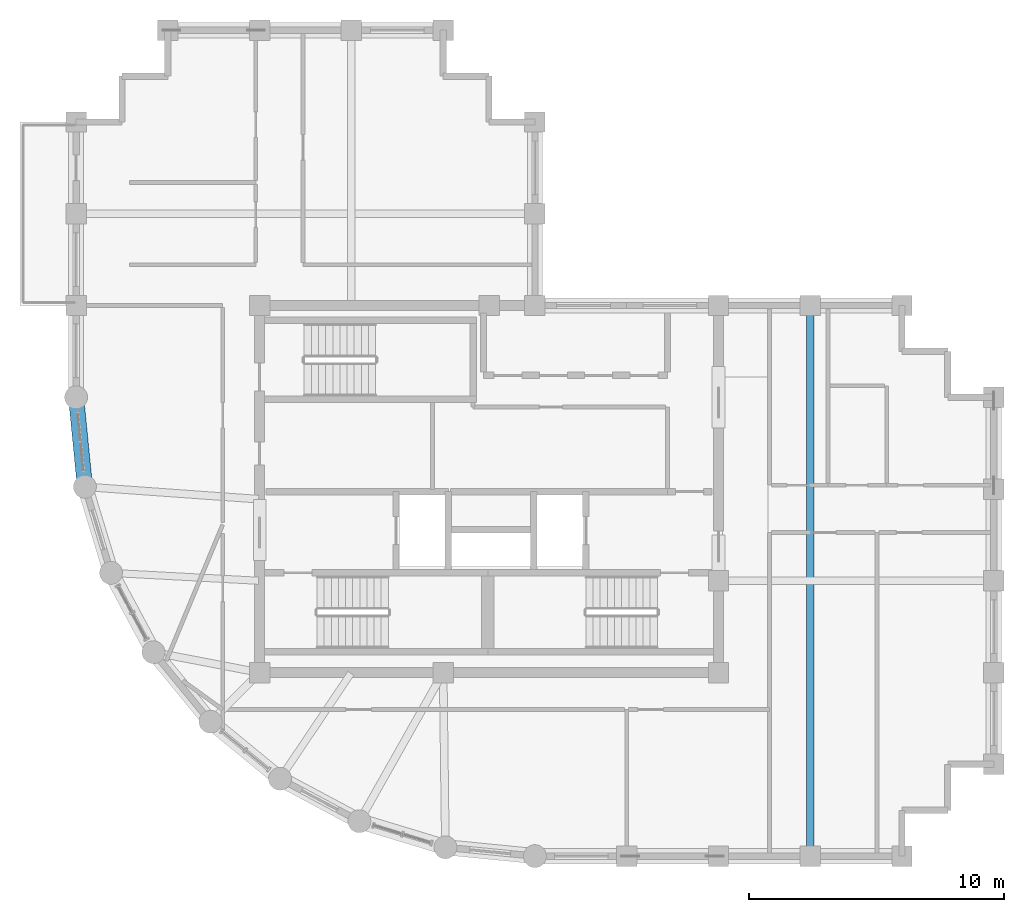
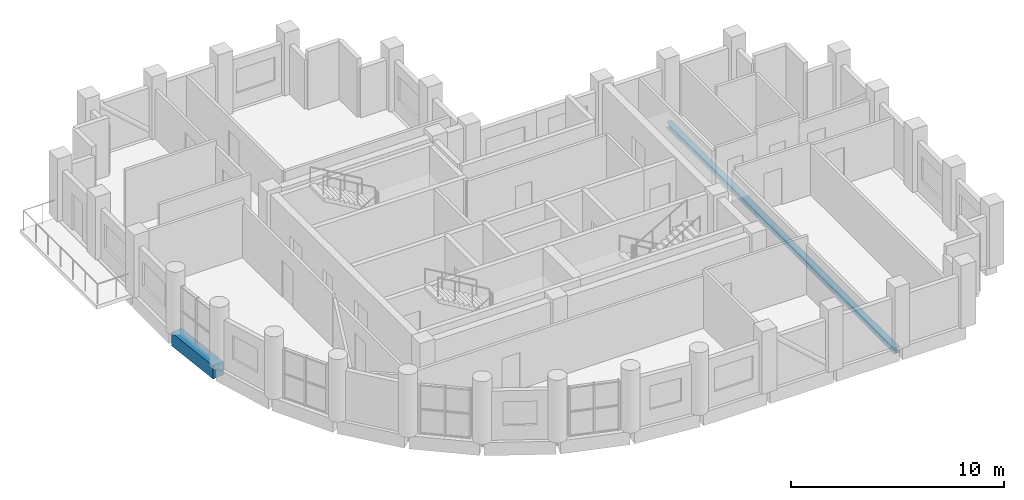
# One storey, part 5 of 11: 2 beams.
"""IFC4 building model written with IfcOpenShell, lengths in metres."""

import ifcopenshell
import ifcopenshell.guid

model = None  # the IFC model being written
_history = None  # IfcOwnerHistory: only IFC2X3 demands one
_inside = {}  # id of a spatial element -> (the spatial element, [elements in it])
_under = {}  # id of a project, library or spatial element -> (it, [spatial elements below it])
_declared = {}  # id of a project -> (the project, [libraries it declares])
_typed = {}  # id of a type object -> (the type object, [elements of that type])
_made_of = {}  # id of a material, layer set ... -> (it, [elements and type objects made of it])


def new_model(schema):
    """Start an empty IFC model of exactly this schema.

    Asked for "IFC4X3", IfcOpenShell would pick the latest addendum, in which some entities
    have other attributes; the version numbers below select the first issue.
    IFC2X3 requires an IfcOwnerHistory on every rooted entity: one is made here for all.
    """
    global model, _history
    if schema == "IFC4X3":
        model = ifcopenshell.file(schema_version=(4, 3, 0, 0))
    else:
        model = ifcopenshell.file(schema=schema)
    _inside.clear()
    _under.clear()
    _declared.clear()
    _typed.clear()
    _made_of.clear()
    _history = None
    if model.schema == "IFC2X3":
        org = make("IfcOrganization", Name="unknown")
        user = make(
            "IfcPersonAndOrganization",
            ThePerson=make("IfcPerson", FamilyName="unknown"),
            TheOrganization=org,
        )
        app = make(
            "IfcApplication",
            ApplicationDeveloper=org,
            Version="unknown",
            ApplicationFullName="unknown",
            ApplicationIdentifier="unknown",
        )
        _history = make(
            "IfcOwnerHistory",
            OwningUser=user,
            OwningApplication=app,
            ChangeAction="ADDED",
            CreationDate=0,
        )
    return model


def make(cls, **values):
    """One entity of the class cls with the attributes given. An attribute that is None is left unset."""
    return model.create_entity(
        cls, **{name: value for name, value in values.items() if value is not None}
    )


def rooted(cls, **values):
    """An entity with a GlobalId (a new one), such as an element, a storey or a relation."""
    return make(cls, GlobalId=ifcopenshell.guid.new(), OwnerHistory=_history, **values)


def si_unit(unit_type, name, prefix=None):
    """IfcSIUnit, for example si_unit("LENGTHUNIT", "METRE", prefix="MILLI")."""
    return make("IfcSIUnit", UnitType=unit_type, Prefix=prefix, Name=name)


def assignment(units):
    """IfcUnitAssignment: the units of a project."""
    return None if units is None else make("IfcUnitAssignment", Units=units)


def point(xyz):
    """IfcCartesianPoint."""
    return None if xyz is None else make("IfcCartesianPoint", Coordinates=xyz)


def direction(xyz):
    """IfcDirection."""
    return None if xyz is None else make("IfcDirection", DirectionRatios=xyz)


def frame(location, z_axis=None, x_axis=None):
    """IfcAxis2Placement3D, a coordinate frame: its origin and axes. An axis left out is left unset."""
    return make(
        "IfcAxis2Placement3D",
        Location=point(location),
        Axis=direction(z_axis),
        RefDirection=direction(x_axis),
    )


def frame_2d(location, x_axis=None):
    """IfcAxis2Placement2D, a coordinate frame in the plane: its origin and x axis."""
    return make(
        "IfcAxis2Placement2D", Location=point(location), RefDirection=direction(x_axis)
    )


def origin():
    """The frame at (0, 0, 0) with its axes left unset."""
    return frame((0.0, 0.0, 0.0))


def origin_2d():
    """The frame at (0, 0) in the plane with its x axis left unset."""
    return frame_2d((0.0, 0.0))


def place(relative_to, where):
    """IfcLocalPlacement: puts the frame where relative to a parent placement (None: the world)."""
    return make(
        "IfcLocalPlacement", PlacementRelTo=relative_to, RelativePlacement=where
    )


def context(
    kind, dimensions, precision=None, world=None, true_north=None, identifier=None
):
    """IfcGeometricRepresentationContext, for example the 3D "Model" context."""
    return make(
        "IfcGeometricRepresentationContext",
        ContextIdentifier=identifier,
        ContextType=kind,
        CoordinateSpaceDimension=dimensions,
        Precision=precision,
        WorldCoordinateSystem=world,
        TrueNorth=true_north,
    )


def subcontext(parent, identifier, kind, view, scale=None):
    """IfcGeometricRepresentationSubContext, for example "Body" below "Model"."""
    return make(
        "IfcGeometricRepresentationSubContext",
        ContextIdentifier=identifier,
        ContextType=kind,
        ParentContext=parent,
        TargetScale=scale,
        TargetView=view,
    )


def project(units=None, contexts=None):
    """IfcProject with its units and contexts."""
    return rooted(
        "IfcProject",
        Name="project",
        RepresentationContexts=contexts,
        UnitsInContext=assignment(units),
    )


def spatial(cls, under=None, at=None, **own):
    """A site, building, storey or space (cls), placed at a placement, below another one or the project."""
    s = rooted(cls, ObjectPlacement=at, **own)
    if under is not None:
        _under.setdefault(under.id(), (under, []))[1].append(s)
    return s


def profile(cls, at=None, kind="AREA", **sizes):
    """A parametric profile (cls). Its sizes go by their IFC names, for example OverallWidth=200.0."""
    return make(cls, ProfileType=kind, Position=at, **sizes)


def rectangle(**sizes):
    """IfcRectangleProfileDef."""
    return profile("IfcRectangleProfileDef", **sizes)


def i_section(**sizes):
    """IfcIShapeProfileDef."""
    return profile("IfcIShapeProfileDef", **sizes)


def extrude(swept, where, along, depth):
    """IfcExtrudedAreaSolid: the profile swept, set in the frame where, extruded along a direction by depth."""
    return make(
        "IfcExtrudedAreaSolid",
        SweptArea=swept,
        Position=where,
        ExtrudedDirection=direction(along),
        Depth=depth,
    )


def shape(context_of_items, identifier, shape_type, items):
    """IfcShapeRepresentation: the items that make up one representation, for example the "Body"."""
    return make(
        "IfcShapeRepresentation",
        ContextOfItems=context_of_items,
        RepresentationIdentifier=identifier,
        RepresentationType=shape_type,
        Items=items,
    )


def material(Name=None, Category=None):
    """IfcMaterial."""
    return make("IfcMaterial", Name=Name, Category=Category)


def material_profile(
    of_material, cross_section, Name=None, Category=None, Priority=None
):
    """IfcMaterialProfile: a cross section and its material."""
    return make(
        "IfcMaterialProfile",
        Name=Name,
        Material=of_material,
        Profile=cross_section,
        Priority=Priority,
        Category=Category,
    )


def profile_set(profiles, Name=None, composite=None):
    """IfcMaterialProfileSet."""
    return make(
        "IfcMaterialProfileSet",
        Name=Name,
        MaterialProfiles=profiles,
        CompositeProfile=composite,
    )


def made_of(thing, what):
    """Note that an element or type object is made of a material, layer set ...; save() writes the relation."""
    if what is not None:
        _made_of.setdefault(what.id(), (what, []))[1].append(thing)
    return thing


def type_object(cls, material=None, **own):
    """A type object (cls), such as IfcWallType, which elements share."""
    return made_of(rooted(cls, **own), material)


def element(
    cls,
    number,
    at=None,
    inside=None,
    cuts=None,
    type_object=None,
    material=None,
    context=None,
    identifier="Body",
    shape_type=None,
    held_by="IfcProductDefinitionShape",
    body=None,
    shapes=None,
    **own,
):
    """One element of the class cls, such as IfcWall. Its Tag is "e" and its number.

    at: its placement. inside: the storey or other place that contains it. cuts: it is an
    opening in that element (IfcRelVoidsElement). A single representation is given by context,
    identifier, shape_type and body (its items); several are given by shapes. held_by: the class
    of the entity that holds the representations. save() writes the other relations.
    """
    e = rooted(cls, Tag="e%d" % number, ObjectPlacement=at, **own)
    if body is not None:
        shapes = [shape(context, identifier, shape_type, body)]
    if shapes is not None:
        e.Representation = make(held_by, Representations=shapes)
    if inside is not None:
        _inside.setdefault(inside.id(), (inside, []))[1].append(e)
    if cuts is not None:
        rooted(
            "IfcRelVoidsElement", RelatingBuildingElement=cuts, RelatedOpeningElement=e
        )
    if type_object is not None:
        _typed.setdefault(type_object.id(), (type_object, []))[1].append(e)
    return made_of(e, material)


def aggregate(whole, parts):
    """IfcRelAggregates: a whole, such as a stair, and the parts it consists of."""
    return rooted("IfcRelAggregates", RelatingObject=whole, RelatedObjects=parts)


def save(model, path):
    """Write the relations noted so far, then the file.

    IfcRelAggregates (storeys below a building ...), IfcRelContainedInSpatialStructure (elements
    in a storey), IfcRelDefinesByType, IfcRelAssociatesMaterial and IfcRelDeclares: one each for
    every whole, place, type object, material and project.
    """
    for whole, parts in _under.values():
        aggregate(whole, parts)
    for where, things in _inside.values():
        rooted(
            "IfcRelContainedInSpatialStructure",
            RelatedElements=things,
            RelatingStructure=where,
        )
    for kind, things in _typed.values():
        rooted("IfcRelDefinesByType", RelatedObjects=things, RelatingType=kind)
    for what, things in _made_of.values():
        rooted("IfcRelAssociatesMaterial", RelatedObjects=things, RelatingMaterial=what)
    for by, libraries in _declared.values():
        rooted("IfcRelDeclares", RelatingContext=by, RelatedDefinitions=libraries)
    model.write(path)


model = new_model("IFC4")

# Units and contexts
model_context = context("Model", 3, precision=1e-05, world=origin(), true_north=direction((0.0, 1.0)))
body_context = subcontext(model_context, "Body", "Model", "MODEL_VIEW")
ifc_project = project(units=[si_unit("LENGTHUNIT", "METRE"), si_unit("AREAUNIT", "SQUARE_METRE"), si_unit("VOLUMEUNIT", "CUBIC_METRE"), si_unit("PLANEANGLEUNIT", "RADIAN"), si_unit("MASSUNIT", "GRAM", prefix="KILO")], contexts=[model_context])

# Site, building, storey
site_placement = place(None, origin())
site = spatial("IfcSite", under=ifc_project, at=site_placement, CompositionType="ELEMENT")
building_placement = place(site_placement, origin())
building = spatial("IfcBuilding", under=site, at=building_placement, Name="Solnavia Interchange Tower", CompositionType="ELEMENT")
storey_placement = place(building_placement, frame((0.0, 0.0, 263.0)))
storey = spatial("IfcBuildingStorey", under=building, at=storey_placement, Name="L66", CompositionType="ELEMENT", Elevation=263.0)

# Beams
ifc_material_1 = material(Name="Steel S355", Category="steel")
ifc_material_profile_1 = material_profile(ifc_material_1, i_section(OverallWidth=0.300048828125, OverallDepth=0.31005859375, WebThickness=0.009033203125, FlangeThickness=0.015380859375, FilletRadius=0.027099609375, at=origin_2d()), Name="HEA 320")
ifc_profile_set_1 = profile_set([ifc_material_profile_1], Name="Steel S355")
beam_type_1 = type_object("IfcBeamType", Name="Beam-Primary-HEA320", PredefinedType="BEAM", material=ifc_profile_set_1)
beam_1_placement = place(storey_placement, frame((36.0, 3.679931640625, -0.405029296875), z_axis=(0.0, 1.0, 0.0), x_axis=(-1.0, 0.0, 0.0)))
element("IfcBeam", 1, at=beam_1_placement, inside=storey, type_object=beam_type_1, Name="GRD-L66-EW02 East wing primary floor girder", PredefinedType="BEAM", context=body_context, shape_type="SweptSolid", body=[
    extrude(i_section(OverallWidth=0.300048828125, OverallDepth=0.31005859375, WebThickness=0.009033203125, FlangeThickness=0.015380859375, FilletRadius=0.027099609375, at=origin_2d()), origin(), (0.0, 0.0, 1.0), 21.440185546875),
])
ifc_material_2 = material(Name="Concrete C50/60", Category="concrete")
ifc_material_profile_2 = material_profile(ifc_material_2, rectangle(XDim=0.60009765625, YDim=0.75, at=origin_2d()), Name="RC 600x750")
ifc_profile_set_2 = profile_set([ifc_material_profile_2], Name="Concrete C50/60")
beam_type_2 = type_object("IfcBeamType", Name="Beam-Spandrel-RC600x750", PredefinedType="SPANDREL", material=ifc_profile_set_2)
beam_2_placement = place(storey_placement, frame((7.207763671875, 21.5205078125, -0.375), z_axis=(0.098040038117, -0.995182471171, 0.0), x_axis=(0.995182471171, 0.098040038117, 0.0)))
element("IfcBeam", 2, at=beam_2_placement, inside=storey, type_object=beam_type_2, Name="SPB-L66-01 Framed-tube perimeter spandrel beam", PredefinedType="SPANDREL", context=body_context, shape_type="SweptSolid", body=[
    extrude(rectangle(XDim=0.60009765625, YDim=0.75, at=origin_2d()), origin(), (0.0, 0.0, 1.0), 3.369140625),
])

save(model, "model.ifc")
